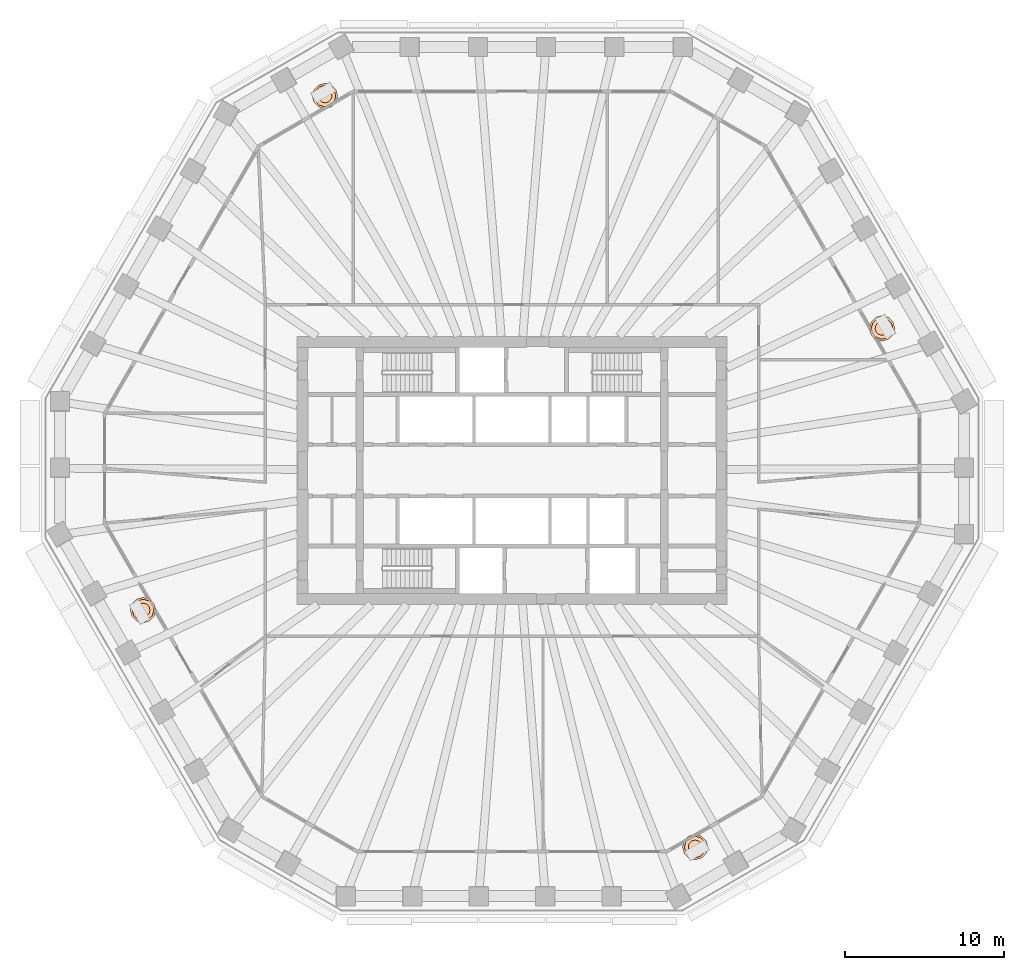
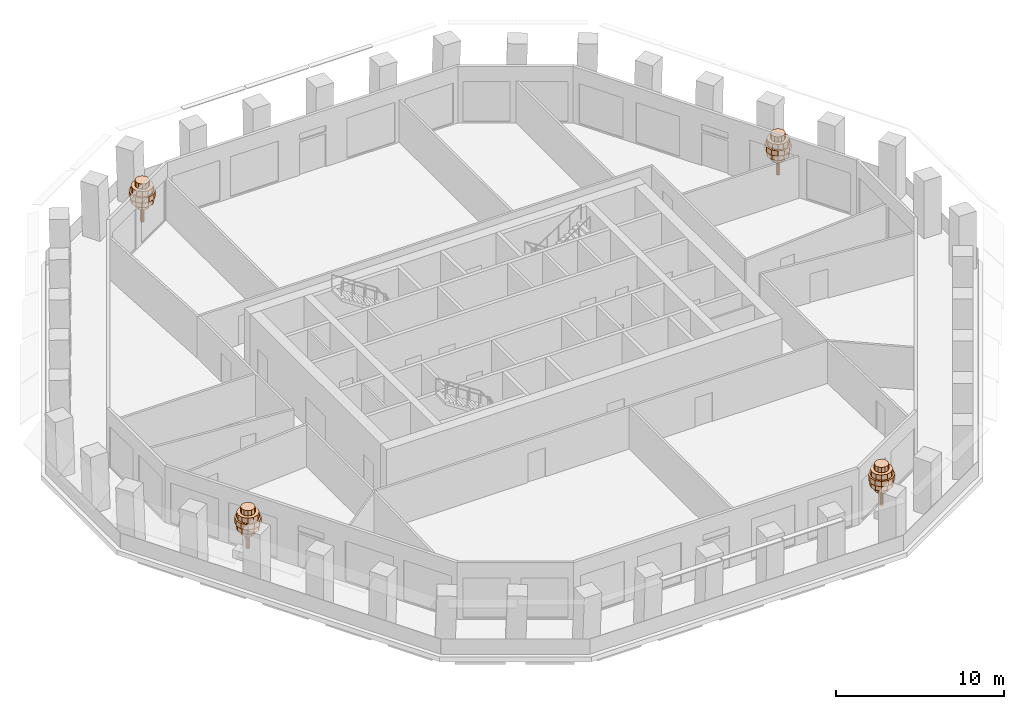
# One storey, part 12 of 12: 4 geographic elements.
"""IFC4 building model written with IfcOpenShell, lengths in metres."""

from ifc_helpers import new_model, si_unit, direction, frame, origin, place, context, subcontext, project, spatial, polyline, outline, extrude, material, type_object, element, save


model = new_model("IFC4")

# Units and contexts
model_context = context("Model", 3, precision=1e-05, world=origin(), true_north=direction((0.0, 1.0)))
body_context = subcontext(model_context, "Body", "Model", "MODEL_VIEW")
ifc_project = project(units=[si_unit("LENGTHUNIT", "METRE"), si_unit("AREAUNIT", "SQUARE_METRE"), si_unit("VOLUMEUNIT", "CUBIC_METRE"), si_unit("PLANEANGLEUNIT", "RADIAN"), si_unit("MASSUNIT", "GRAM", prefix="KILO")], contexts=[model_context])

# Site, building, storey
site_placement = place(None, origin())
site = spatial("IfcSite", under=ifc_project, at=site_placement, CompositionType="ELEMENT")
building_placement = place(site_placement, origin())
building = spatial("IfcBuilding", under=site, at=building_placement, Name="Frailejon Research Tower", CompositionType="ELEMENT")
storey_placement = place(building_placement, frame((0.0, 0.0, 149.60009765625)))
storey = spatial("IfcBuildingStorey", under=building, at=storey_placement, Name="L32", CompositionType="ELEMENT", Elevation=149.60009765625)

# Geographic elements
ifc_material = material(Name="Foliage, green")
geographic_element_type = type_object("IfcGeographicElementType", Name="Frailejon tree, loggia", PredefinedType="USERDEFINED", material=ifc_material)
geographic_element_1_placement = place(storey_placement, frame((23.3359375, 8.95751953125, 0.599853515625)))
element("IfcGeographicElement", 1, at=geographic_element_1_placement, inside=storey, type_object=geographic_element_type, Name="Tree L32", ObjectType="TREE", PredefinedType="USERDEFINED", context=body_context, shape_type="SweptSolid", body=[
    extrude(outline(polyline([(0.1298828125, 0.0), (0.112548828125, 0.06494140625), (0.06494140625, 0.112548828125), (0.0, 0.1298828125), (-0.06494140625, 0.112548828125), (-0.112548828125, 0.06494140625), (-0.1298828125, 0.0), (-0.112548828125, -0.06494140625), (-0.06494140625, -0.112548828125), (0.0, -0.1298828125), (0.06494140625, -0.112548828125), (0.112548828125, -0.06494140625), (0.1298828125, 0.0)])), origin(), (0.0, 0.0, 1.0), 2.239990234375),
    extrude(outline(polyline([(0.43994140625, 0.0), (0.381103515625, 0.219970703125), (0.219970703125, 0.381103515625), (0.0, 0.43994140625), (-0.219970703125, 0.381103515625), (-0.381103515625, 0.219970703125), (-0.43994140625, 0.0), (-0.381103515625, -0.219970703125), (-0.219970703125, -0.381103515625), (0.0, -0.43994140625), (0.219970703125, -0.381103515625), (0.381103515625, -0.219970703125), (0.43994140625, 0.0)])), frame((0.0, 0.0, 1.10009765625)), (0.0, 0.0, 1.0), 0.3798828125),
    extrude(outline(polyline([(0.719970703125, 0.0), (0.62353515625, 0.360107421875), (0.360107421875, 0.62353515625), (0.0, 0.719970703125), (-0.360107421875, 0.62353515625), (-0.62353515625, 0.360107421875), (-0.719970703125, 0.0), (-0.62353515625, -0.360107421875), (-0.360107421875, -0.62353515625), (0.0, -0.719970703125), (0.360107421875, -0.62353515625), (0.62353515625, -0.360107421875), (0.719970703125, 0.0)])), frame((0.0, 0.0, 1.47998046875)), (0.0, 0.0, 1.0), 0.3798828125),
    extrude(outline(polyline([(0.800048828125, 0.0), (0.69287109375, 0.39990234375), (0.39990234375, 0.69287109375), (0.0, 0.800048828125), (-0.39990234375, 0.69287109375), (-0.69287109375, 0.39990234375), (-0.800048828125, 0.0), (-0.69287109375, -0.39990234375), (-0.39990234375, -0.69287109375), (0.0, -0.800048828125), (0.39990234375, -0.69287109375), (0.69287109375, -0.39990234375), (0.800048828125, 0.0)])), frame((0.0, 0.0, 1.860107421875)), (0.0, 0.0, 1.0), 0.3798828125),
    extrude(outline(polyline([(0.679931640625, 0.0), (0.5888671875, 0.340087890625), (0.340087890625, 0.5888671875), (0.0, 0.679931640625), (-0.340087890625, 0.5888671875), (-0.5888671875, 0.340087890625), (-0.679931640625, 0.0), (-0.5888671875, -0.340087890625), (-0.340087890625, -0.5888671875), (0.0, -0.679931640625), (0.340087890625, -0.5888671875), (0.5888671875, -0.340087890625), (0.679931640625, 0.0)])), frame((0.0, 0.0, 2.239990234375)), (0.0, 0.0, 1.0), 0.3798828125),
    extrude(outline(polyline([(0.43994140625, 0.0), (0.381103515625, 0.219970703125), (0.219970703125, 0.381103515625), (0.0, 0.43994140625), (-0.219970703125, 0.381103515625), (-0.381103515625, 0.219970703125), (-0.43994140625, 0.0), (-0.381103515625, -0.219970703125), (-0.219970703125, -0.381103515625), (0.0, -0.43994140625), (0.219970703125, -0.381103515625), (0.381103515625, -0.219970703125), (0.43994140625, 0.0)])), frame((0.0, 0.0, 2.6201171875)), (0.0, 0.0, 1.0), 0.3798828125),
])
geographic_element_2_placement = place(storey_placement, frame((-11.791015625, 23.6103515625, 0.599853515625)))
element("IfcGeographicElement", 2, at=geographic_element_2_placement, inside=storey, type_object=geographic_element_type, Name="Tree L32", ObjectType="TREE", PredefinedType="USERDEFINED", context=body_context, shape_type="SweptSolid", body=[
    extrude(outline(polyline([(0.1298828125, 0.0), (0.112548828125, 0.06494140625), (0.06494140625, 0.112548828125), (0.0, 0.1298828125), (-0.06494140625, 0.112548828125), (-0.112548828125, 0.06494140625), (-0.1298828125, 0.0), (-0.112548828125, -0.06494140625), (-0.06494140625, -0.112548828125), (0.0, -0.1298828125), (0.06494140625, -0.112548828125), (0.112548828125, -0.06494140625), (0.1298828125, 0.0)])), origin(), (0.0, 0.0, 1.0), 2.239990234375),
    extrude(outline(polyline([(0.43994140625, 0.0), (0.381103515625, 0.219970703125), (0.219970703125, 0.381103515625), (0.0, 0.43994140625), (-0.219970703125, 0.381103515625), (-0.381103515625, 0.219970703125), (-0.43994140625, 0.0), (-0.381103515625, -0.219970703125), (-0.219970703125, -0.381103515625), (0.0, -0.43994140625), (0.219970703125, -0.381103515625), (0.381103515625, -0.219970703125), (0.43994140625, 0.0)])), frame((0.0, 0.0, 1.10009765625)), (0.0, 0.0, 1.0), 0.3798828125),
    extrude(outline(polyline([(0.719970703125, 0.0), (0.62353515625, 0.360107421875), (0.360107421875, 0.62353515625), (0.0, 0.719970703125), (-0.360107421875, 0.62353515625), (-0.62353515625, 0.360107421875), (-0.719970703125, 0.0), (-0.62353515625, -0.360107421875), (-0.360107421875, -0.62353515625), (0.0, -0.719970703125), (0.360107421875, -0.62353515625), (0.62353515625, -0.360107421875), (0.719970703125, 0.0)])), frame((0.0, 0.0, 1.47998046875)), (0.0, 0.0, 1.0), 0.3798828125),
    extrude(outline(polyline([(0.800048828125, 0.0), (0.69287109375, 0.39990234375), (0.39990234375, 0.69287109375), (0.0, 0.800048828125), (-0.39990234375, 0.69287109375), (-0.69287109375, 0.39990234375), (-0.800048828125, 0.0), (-0.69287109375, -0.39990234375), (-0.39990234375, -0.69287109375), (0.0, -0.800048828125), (0.39990234375, -0.69287109375), (0.69287109375, -0.39990234375), (0.800048828125, 0.0)])), frame((0.0, 0.0, 1.860107421875)), (0.0, 0.0, 1.0), 0.3798828125),
    extrude(outline(polyline([(0.679931640625, 0.0), (0.5888671875, 0.340087890625), (0.340087890625, 0.5888671875), (0.0, 0.679931640625), (-0.340087890625, 0.5888671875), (-0.5888671875, 0.340087890625), (-0.679931640625, 0.0), (-0.5888671875, -0.340087890625), (-0.340087890625, -0.5888671875), (0.0, -0.679931640625), (0.340087890625, -0.5888671875), (0.5888671875, -0.340087890625), (0.679931640625, 0.0)])), frame((0.0, 0.0, 2.239990234375)), (0.0, 0.0, 1.0), 0.3798828125),
    extrude(outline(polyline([(0.43994140625, 0.0), (0.381103515625, 0.219970703125), (0.219970703125, 0.381103515625), (0.0, 0.43994140625), (-0.219970703125, 0.381103515625), (-0.381103515625, 0.219970703125), (-0.43994140625, 0.0), (-0.381103515625, -0.219970703125), (-0.219970703125, -0.381103515625), (0.0, -0.43994140625), (0.219970703125, -0.381103515625), (0.381103515625, -0.219970703125), (0.43994140625, 0.0)])), frame((0.0, 0.0, 2.6201171875)), (0.0, 0.0, 1.0), 0.3798828125),
])
geographic_element_3_placement = place(storey_placement, frame((-23.26416015625, -8.805419921875, 0.599853515625)))
element("IfcGeographicElement", 3, at=geographic_element_3_placement, inside=storey, type_object=geographic_element_type, Name="Tree L32", ObjectType="TREE", PredefinedType="USERDEFINED", context=body_context, shape_type="SweptSolid", body=[
    extrude(outline(polyline([(0.1298828125, 0.0), (0.112548828125, 0.06494140625), (0.06494140625, 0.112548828125), (0.0, 0.1298828125), (-0.06494140625, 0.112548828125), (-0.112548828125, 0.06494140625), (-0.1298828125, 0.0), (-0.112548828125, -0.06494140625), (-0.06494140625, -0.112548828125), (0.0, -0.1298828125), (0.06494140625, -0.112548828125), (0.112548828125, -0.06494140625), (0.1298828125, 0.0)])), origin(), (0.0, 0.0, 1.0), 2.239990234375),
    extrude(outline(polyline([(0.43994140625, 0.0), (0.381103515625, 0.219970703125), (0.219970703125, 0.381103515625), (0.0, 0.43994140625), (-0.219970703125, 0.381103515625), (-0.381103515625, 0.219970703125), (-0.43994140625, 0.0), (-0.381103515625, -0.219970703125), (-0.219970703125, -0.381103515625), (0.0, -0.43994140625), (0.219970703125, -0.381103515625), (0.381103515625, -0.219970703125), (0.43994140625, 0.0)])), frame((0.0, 0.0, 1.10009765625)), (0.0, 0.0, 1.0), 0.3798828125),
    extrude(outline(polyline([(0.719970703125, 0.0), (0.62353515625, 0.360107421875), (0.360107421875, 0.62353515625), (0.0, 0.719970703125), (-0.360107421875, 0.62353515625), (-0.62353515625, 0.360107421875), (-0.719970703125, 0.0), (-0.62353515625, -0.360107421875), (-0.360107421875, -0.62353515625), (0.0, -0.719970703125), (0.360107421875, -0.62353515625), (0.62353515625, -0.360107421875), (0.719970703125, 0.0)])), frame((0.0, 0.0, 1.47998046875)), (0.0, 0.0, 1.0), 0.3798828125),
    extrude(outline(polyline([(0.800048828125, 0.0), (0.69287109375, 0.39990234375), (0.39990234375, 0.69287109375), (0.0, 0.800048828125), (-0.39990234375, 0.69287109375), (-0.69287109375, 0.39990234375), (-0.800048828125, 0.0), (-0.69287109375, -0.39990234375), (-0.39990234375, -0.69287109375), (0.0, -0.800048828125), (0.39990234375, -0.69287109375), (0.69287109375, -0.39990234375), (0.800048828125, 0.0)])), frame((0.0, 0.0, 1.860107421875)), (0.0, 0.0, 1.0), 0.3798828125),
    extrude(outline(polyline([(0.679931640625, 0.0), (0.5888671875, 0.340087890625), (0.340087890625, 0.5888671875), (0.0, 0.679931640625), (-0.340087890625, 0.5888671875), (-0.5888671875, 0.340087890625), (-0.679931640625, 0.0), (-0.5888671875, -0.340087890625), (-0.340087890625, -0.5888671875), (0.0, -0.679931640625), (0.340087890625, -0.5888671875), (0.5888671875, -0.340087890625), (0.679931640625, 0.0)])), frame((0.0, 0.0, 2.239990234375)), (0.0, 0.0, 1.0), 0.3798828125),
    extrude(outline(polyline([(0.43994140625, 0.0), (0.381103515625, 0.219970703125), (0.219970703125, 0.381103515625), (0.0, 0.43994140625), (-0.219970703125, 0.381103515625), (-0.381103515625, 0.219970703125), (-0.43994140625, 0.0), (-0.381103515625, -0.219970703125), (-0.219970703125, -0.381103515625), (0.0, -0.43994140625), (0.219970703125, -0.381103515625), (0.381103515625, -0.219970703125), (0.43994140625, 0.0)])), frame((0.0, 0.0, 2.6201171875)), (0.0, 0.0, 1.0), 0.3798828125),
])
geographic_element_4_placement = place(storey_placement, frame((11.551513671875, -23.74853515625, 0.599853515625)))
element("IfcGeographicElement", 4, at=geographic_element_4_placement, inside=storey, type_object=geographic_element_type, Name="Tree L32", ObjectType="TREE", PredefinedType="USERDEFINED", context=body_context, shape_type="SweptSolid", body=[
    extrude(outline(polyline([(0.1298828125, 0.0), (0.112548828125, 0.06494140625), (0.06494140625, 0.112548828125), (0.0, 0.1298828125), (-0.06494140625, 0.112548828125), (-0.112548828125, 0.06494140625), (-0.1298828125, 0.0), (-0.112548828125, -0.06494140625), (-0.06494140625, -0.112548828125), (0.0, -0.1298828125), (0.06494140625, -0.112548828125), (0.112548828125, -0.06494140625), (0.1298828125, 0.0)])), origin(), (0.0, 0.0, 1.0), 2.239990234375),
    extrude(outline(polyline([(0.43994140625, 0.0), (0.381103515625, 0.219970703125), (0.219970703125, 0.381103515625), (0.0, 0.43994140625), (-0.219970703125, 0.381103515625), (-0.381103515625, 0.219970703125), (-0.43994140625, 0.0), (-0.381103515625, -0.219970703125), (-0.219970703125, -0.381103515625), (0.0, -0.43994140625), (0.219970703125, -0.381103515625), (0.381103515625, -0.219970703125), (0.43994140625, 0.0)])), frame((0.0, 0.0, 1.10009765625)), (0.0, 0.0, 1.0), 0.3798828125),
    extrude(outline(polyline([(0.719970703125, 0.0), (0.62353515625, 0.360107421875), (0.360107421875, 0.62353515625), (0.0, 0.719970703125), (-0.360107421875, 0.62353515625), (-0.62353515625, 0.360107421875), (-0.719970703125, 0.0), (-0.62353515625, -0.360107421875), (-0.360107421875, -0.62353515625), (0.0, -0.719970703125), (0.360107421875, -0.62353515625), (0.62353515625, -0.360107421875), (0.719970703125, 0.0)])), frame((0.0, 0.0, 1.47998046875)), (0.0, 0.0, 1.0), 0.3798828125),
    extrude(outline(polyline([(0.800048828125, 0.0), (0.69287109375, 0.39990234375), (0.39990234375, 0.69287109375), (0.0, 0.800048828125), (-0.39990234375, 0.69287109375), (-0.69287109375, 0.39990234375), (-0.800048828125, 0.0), (-0.69287109375, -0.39990234375), (-0.39990234375, -0.69287109375), (0.0, -0.800048828125), (0.39990234375, -0.69287109375), (0.69287109375, -0.39990234375), (0.800048828125, 0.0)])), frame((0.0, 0.0, 1.860107421875)), (0.0, 0.0, 1.0), 0.3798828125),
    extrude(outline(polyline([(0.679931640625, 0.0), (0.5888671875, 0.340087890625), (0.340087890625, 0.5888671875), (0.0, 0.679931640625), (-0.340087890625, 0.5888671875), (-0.5888671875, 0.340087890625), (-0.679931640625, 0.0), (-0.5888671875, -0.340087890625), (-0.340087890625, -0.5888671875), (0.0, -0.679931640625), (0.340087890625, -0.5888671875), (0.5888671875, -0.340087890625), (0.679931640625, 0.0)])), frame((0.0, 0.0, 2.239990234375)), (0.0, 0.0, 1.0), 0.3798828125),
    extrude(outline(polyline([(0.43994140625, 0.0), (0.381103515625, 0.219970703125), (0.219970703125, 0.381103515625), (0.0, 0.43994140625), (-0.219970703125, 0.381103515625), (-0.381103515625, 0.219970703125), (-0.43994140625, 0.0), (-0.381103515625, -0.219970703125), (-0.219970703125, -0.381103515625), (0.0, -0.43994140625), (0.219970703125, -0.381103515625), (0.381103515625, -0.219970703125), (0.43994140625, 0.0)])), frame((0.0, 0.0, 2.6201171875)), (0.0, 0.0, 1.0), 0.3798828125),
])

save(model, "model.ifc")
